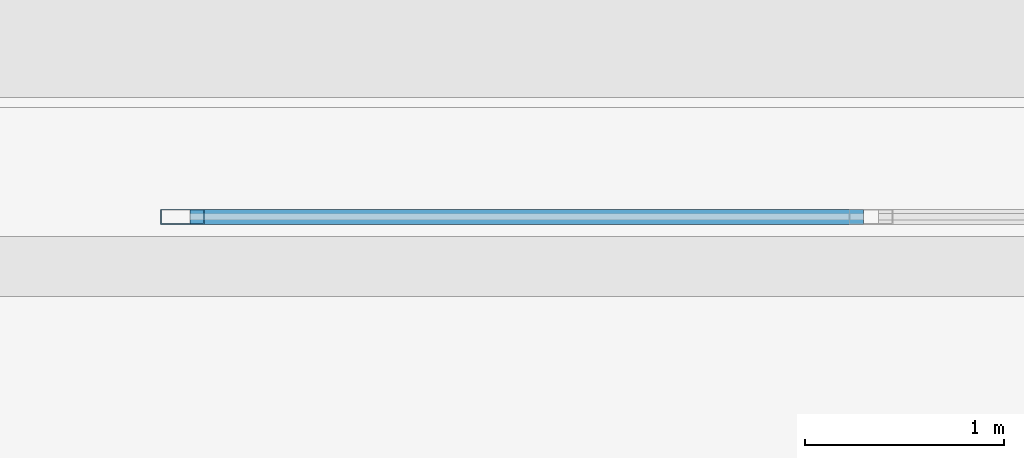
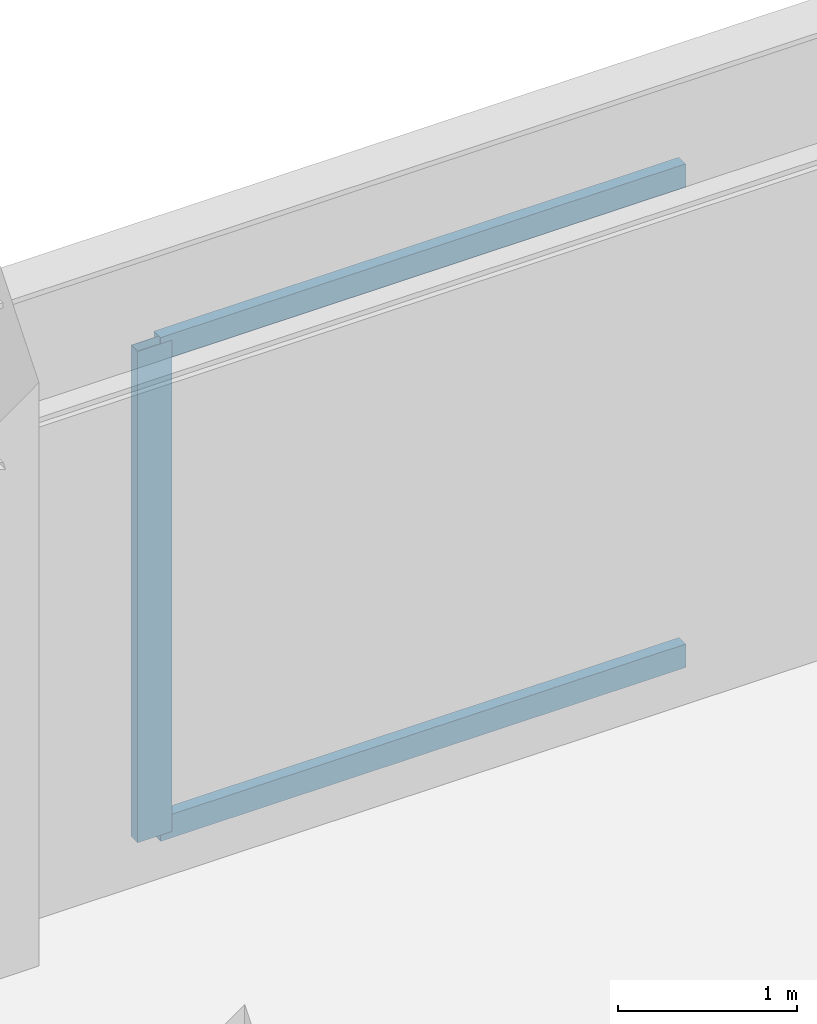
# One storey, part 7 of 23: 3 members, 1 element without a shape of its own.
"""IFC4 building model written with IfcOpenShell, lengths in metres."""

from ifc_helpers import new_model, si_unit, direction, frame, origin, origin_2d, place, context, subcontext, project, spatial, hollow_rectangle, extrude, material, layer, layer_set, material_profile, profile_set, type_object, element, aggregate, save


model = new_model("IFC4")

# Units and contexts
model_context = context("Model", 3, precision=1e-05, world=origin(), true_north=direction((0.0, 1.0)))
body_context = subcontext(model_context, "Body", "Model", "MODEL_VIEW")
ifc_project = project(units=[si_unit("LENGTHUNIT", "METRE"), si_unit("AREAUNIT", "SQUARE_METRE"), si_unit("VOLUMEUNIT", "CUBIC_METRE"), si_unit("PLANEANGLEUNIT", "RADIAN"), si_unit("MASSUNIT", "GRAM", prefix="KILO")], contexts=[model_context])

# Site, building, storey
site_placement = place(None, origin())
site = spatial("IfcSite", under=ifc_project, at=site_placement, CompositionType="ELEMENT")
building_placement = place(site_placement, origin())
building = spatial("IfcBuilding", under=site, at=building_placement, Name="Varnakorn Sky Granary", CompositionType="ELEMENT")
storey_placement = place(building_placement, origin())
storey = spatial("IfcBuildingStorey", under=building, at=storey_placement, Name="L00", CompositionType="ELEMENT", Elevation=0.0)

# Curtain wall, members
ifc_material = material(Name="Anodised Bronze Aluminium Alloy 6063-T6", Category="aluminium")
ifc_layer = layer(ifc_material, 0.219970703125, Name="Anodised Bronze Aluminium Alloy 6063-T6")
ifc_layer_set = layer_set([ifc_layer], Name="Anodised Bronze Aluminium Alloy 6063-T6")
curtain_wall_type = type_object("IfcCurtainWallType", Name="CW-POD-1", PredefinedType="USERDEFINED", material=ifc_layer_set)
curtain_wall_placement = place(storey_placement, origin())
curtain_wall = element("IfcCurtainWall", 1, at=curtain_wall_placement, inside=storey, type_object=curtain_wall_type, Name="Unitised Curtain Wall CW1 CW-L00-P1", ObjectType="CURTAIN WALL", PredefinedType="USERDEFINED")
ifc_material_profile_1 = material_profile(ifc_material, hollow_rectangle(XDim=0.074951171875, YDim=0.219970703125, WallThickness=0.00390625, at=origin_2d()), Name="ALU MULL 75x220")
ifc_profile_set_1 = profile_set([ifc_material_profile_1], Name="Anodised Bronze Aluminium Alloy 6063-T6")
member_type_1 = type_object("IfcMemberType", Name="CW-POD-1-MULL", PredefinedType="MULLION", material=ifc_profile_set_1)
member_1_placement = place(storey_placement, frame((-12.362548828125, 23.449951171875, 0.0), z_axis=(0.0, 0.0, 1.0), x_axis=(0.0, 1.0, 0.0)))
member_1 = element("IfcMember", 2, at=member_1_placement, type_object=member_type_1, Name="CW1 mullion 1", PredefinedType="MULLION", context=body_context, shape_type="SweptSolid", body=[
    extrude(hollow_rectangle(XDim=0.074951171875, YDim=0.219970703125, WallThickness=0.00390625, at=origin_2d()), origin(), (0.0, 0.0, 1.0), 3.35009765625),
])
ifc_material_profile_2 = material_profile(ifc_material, hollow_rectangle(XDim=0.074951171875, YDim=0.159912109375, WallThickness=0.00390625, at=origin_2d()), Name="ALU TRAN 75x160")
ifc_profile_set_2 = profile_set([ifc_material_profile_2], Name="Anodised Bronze Aluminium Alloy 6063-T6")
member_type_2 = type_object("IfcMemberType", Name="CW-POD-1-TRAN", PredefinedType="USERDEFINED", material=ifc_profile_set_2)
member_2_placement = place(storey_placement, frame((-12.324951171875, 23.449951171875, 0.03759765625), z_axis=(1.0, 0.0, 0.0), x_axis=(0.0, 1.0, 0.0)))
member_2 = element("IfcMember", 3, at=member_2_placement, type_object=member_type_2, Name="CW1 transom 1.1", ObjectType="TRANSOM", PredefinedType="USERDEFINED", context=body_context, shape_type="SweptSolid", body=[
    extrude(hollow_rectangle(XDim=0.074951171875, YDim=0.159912109375, WallThickness=0.00390625, at=origin_2d()), origin(), (0.0, 0.0, 1.0), 3.387451171875),
])
member_3_placement = place(storey_placement, frame((-12.324951171875, 23.449951171875, 3.3125), z_axis=(1.0, 0.0, 0.0), x_axis=(0.0, 1.0, 0.0)))
member_3 = element("IfcMember", 4, at=member_3_placement, type_object=member_type_2, Name="CW1 transom 1.2", ObjectType="TRANSOM", PredefinedType="USERDEFINED", context=body_context, shape_type="SweptSolid", body=[
    extrude(hollow_rectangle(XDim=0.074951171875, YDim=0.159912109375, WallThickness=0.00390625, at=origin_2d()), origin(), (0.0, 0.0, 1.0), 3.387451171875),
])
aggregate(curtain_wall, [member_1, member_2, member_3])

save(model, "model.ifc")
